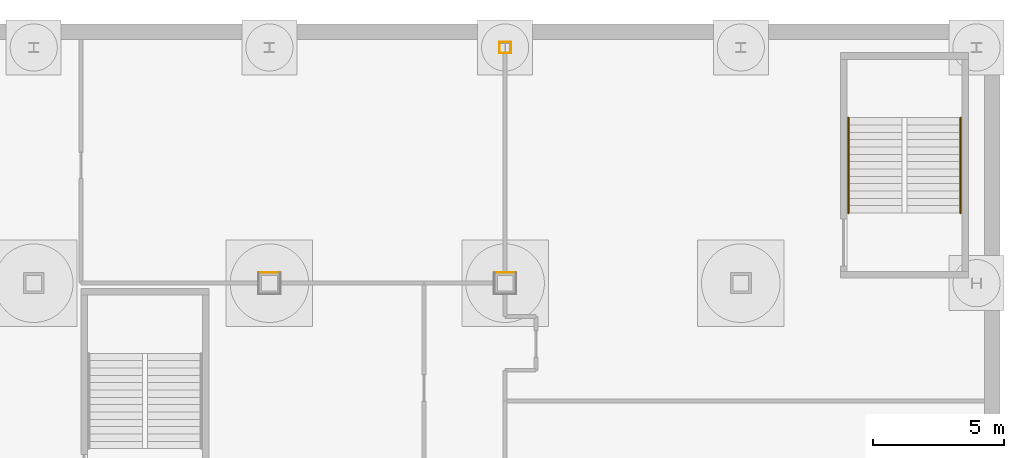
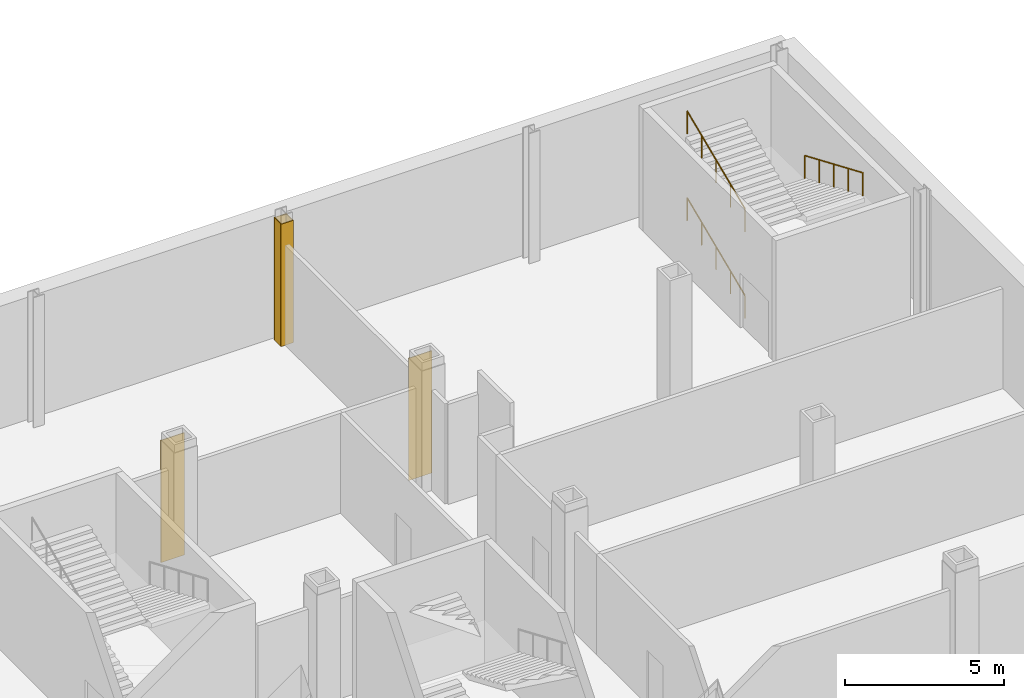
# One storey, part 25 of 28: 6 coverings, 3 railings.
"""IFC4 building model written with IfcOpenShell, lengths in metres."""

from ifc_helpers import new_model, si_unit, direction, frame, origin, origin_2d, place, context, subcontext, project, spatial, rectangle, circle, extrude, material, layer, layer_set, type_object, element, save


model = new_model("IFC4")

# Units and contexts
model_context = context("Model", 3, precision=1e-05, world=origin(), true_north=direction((0.0, 1.0)))
body_context = subcontext(model_context, "Body", "Model", "MODEL_VIEW")
ifc_project = project(units=[si_unit("LENGTHUNIT", "METRE"), si_unit("AREAUNIT", "SQUARE_METRE"), si_unit("VOLUMEUNIT", "CUBIC_METRE"), si_unit("PLANEANGLEUNIT", "RADIAN"), si_unit("MASSUNIT", "GRAM", prefix="KILO")], contexts=[model_context])

# Site, building, storey
site_placement = place(None, origin())
site = spatial("IfcSite", under=ifc_project, at=site_placement, CompositionType="ELEMENT")
building_placement = place(site_placement, origin())
building = spatial("IfcBuilding", under=site, at=building_placement, Name="Loomwork Tower", CompositionType="ELEMENT")
storey_placement = place(building_placement, frame((0.0, 0.0, -10.5)))
storey = spatial("IfcBuildingStorey", under=building, at=storey_placement, Name="B2", CompositionType="ELEMENT", Elevation=-10.5)

# Coverings
ifc_material_1 = material(Name="Two-hour fire-rated gypsum board casing")
ifc_layer = layer(ifc_material_1, 0.02490234375)
ifc_layer_set = layer_set([ifc_layer], Name="Column fire casing 25")
covering_type = type_object("IfcCoveringType", Name="Column fire casing 25", PredefinedType="CLADDING", material=ifc_layer_set)
for number, where, z_axis, x_axis, name in (
    (1, (36.0, 36.41259765625, 0.0), (0.0, 0.0, 1.0), (1.0, 0.0, 0.0), "Column casing 36 36 B2"),
    (2, (45.0, 36.41259765625, 0.0), (0.0, 0.0, 1.0), (1.0, 0.0, 0.0), "Column casing 45 36 B2"),
):
    element("IfcCovering", number, at=place(storey_placement, frame(where, z_axis=z_axis, x_axis=x_axis)), inside=storey, type_object=covering_type, Name=name, PredefinedType="CLADDING", context=body_context, shape_type="SweptSolid", body=[
        extrude(rectangle(XDim=0.85009765625, YDim=0.02490234375, at=origin_2d()), origin(), (0.0, 0.0, 1.0), 4.699951171875),
    ])
for number, where, z_axis, x_axis, name in (
    (3, (45.0, 45.2119140625, 0.0), (0.0, 0.0, 1.0), (1.0, 0.0, 0.0), "Column casing 45 45 B2"),
    (4, (45.0, 44.7880859375, 0.0), (0.0, 0.0, 1.0), (1.0, 0.0, 0.0), "Column casing 45 45 B2"),
):
    element("IfcCovering", number, at=place(storey_placement, frame(where, z_axis=z_axis, x_axis=x_axis)), inside=storey, type_object=covering_type, Name=name, PredefinedType="CLADDING", context=body_context, shape_type="SweptSolid", body=[
        extrude(rectangle(XDim=0.451416015625, YDim=0.02490234375, at=origin_2d()), origin(), (0.0, 0.0, 1.0), 4.699951171875),
    ])
for number, where, z_axis, x_axis, name in (
    (5, (45.213134765625, 45.0, 0.0), (0.0, 0.0, 1.0), (1.0, 0.0, 0.0), "Column casing 45 45 B2"),
    (6, (44.786865234375, 45.0, 0.0), (0.0, 0.0, 1.0), (1.0, 0.0, 0.0), "Column casing 45 45 B2"),
):
    element("IfcCovering", number, at=place(storey_placement, frame(where, z_axis=z_axis, x_axis=x_axis)), inside=storey, type_object=covering_type, Name=name, PredefinedType="CLADDING", context=body_context, shape_type="SweptSolid", body=[
        extrude(rectangle(XDim=0.02490234375, YDim=0.398681640625, at=origin_2d()), origin(), (0.0, 0.0, 1.0), 4.699951171875),
    ])

# Railings
ifc_material_2 = material(Name="Stainless steel handrail", Category="steel")
railing_type = type_object("IfcRailingType", Name="Handrail 900", PredefinedType="HANDRAIL", material=ifc_material_2)
railing_1_placement = place(storey_placement, frame((58.110107421875, 38.679931640625, 0.118896484375)))
element("IfcRailing", 7, at=railing_1_placement, inside=storey, type_object=railing_type, Name="Podium stair PS4 handrail flight 1 B2", PredefinedType="HANDRAIL", context=body_context, shape_type="SweptSolid", body=[
    extrude(circle(Radius=0.02392578125, at=origin_2d()), frame((0.0, 0.0, 0.8759765625), z_axis=(0.0, 0.920258693564, 0.391310537706), x_axis=(-1.0, 0.0, 0.0)), (0.0, 0.0, 1.0), 3.95556640625),
    extrude(circle(Radius=0.02099609375, at=origin_2d()), origin(), (0.0, 0.0, 1.0), 0.851806640625),
    extrude(circle(Radius=0.02099609375, at=origin_2d()), frame((0.0, 0.91015625, 0.386962890625)), (0.0, 0.0, 1.0), 0.851806640625),
    extrude(circle(Radius=0.02099609375, at=origin_2d()), frame((0.0, 1.820068359375, 0.77392578125)), (0.0, 0.0, 1.0), 0.851806640625),
    extrude(circle(Radius=0.02099609375, at=origin_2d()), frame((0.0, 2.72998046875, 1.160888671875)), (0.0, 0.0, 1.0), 0.851806640625),
    extrude(circle(Radius=0.02099609375, at=origin_2d()), frame((0.0, 3.64013671875, 1.5478515625)), (0.0, 0.0, 1.0), 0.851806640625),
])
railing_2_placement = place(storey_placement, frame((62.389892578125, 42.320068359375, 1.78564453125)))
element("IfcRailing", 8, at=railing_2_placement, inside=storey, type_object=railing_type, Name="Podium stair PS4 handrail flight 2 B2", PredefinedType="HANDRAIL", context=body_context, shape_type="SweptSolid", body=[
    extrude(circle(Radius=0.02392578125, at=origin_2d()), frame((0.0, 0.0, 0.8759765625), z_axis=(0.0, -0.920258693564, 0.391310537706), x_axis=(1.0, 0.0, 0.0)), (0.0, 0.0, 1.0), 3.95556640625),
    extrude(circle(Radius=0.02099609375, at=origin_2d()), origin(), (0.0, 0.0, 1.0), 0.851806640625),
    extrude(circle(Radius=0.02099609375, at=origin_2d()), frame((0.0, -0.91015625, 0.386962890625)), (0.0, 0.0, 1.0), 0.851806640625),
    extrude(circle(Radius=0.02099609375, at=origin_2d()), frame((0.0, -1.820068359375, 0.77392578125)), (0.0, 0.0, 1.0), 0.851806640625),
    extrude(circle(Radius=0.02099609375, at=origin_2d()), frame((0.0, -2.72998046875, 1.160888671875)), (0.0, 0.0, 1.0), 0.851806640625),
    extrude(circle(Radius=0.02099609375, at=origin_2d()), frame((0.0, -3.64013671875, 1.5478515625)), (0.0, 0.0, 1.0), 0.851806640625),
])
railing_3_placement = place(storey_placement, frame((58.110107421875, 38.679931640625, 3.452392578125)))
element("IfcRailing", 9, at=railing_3_placement, inside=storey, type_object=railing_type, Name="Podium stair PS4 handrail flight 3 B2", PredefinedType="HANDRAIL", context=body_context, shape_type="SweptSolid", body=[
    extrude(circle(Radius=0.02392578125, at=origin_2d()), frame((0.0, 0.0, 0.8759765625), z_axis=(0.0, 0.920280918742, 0.391258265855), x_axis=(-1.0, 0.0, 0.0)), (0.0, 0.0, 1.0), 3.95556640625),
    extrude(circle(Radius=0.02099609375, at=origin_2d()), origin(), (0.0, 0.0, 1.0), 0.851806640625),
    extrude(circle(Radius=0.02099609375, at=origin_2d()), frame((0.0, 0.91015625, 0.386962890625)), (0.0, 0.0, 1.0), 0.851806640625),
    extrude(circle(Radius=0.02099609375, at=origin_2d()), frame((0.0, 1.820068359375, 0.77392578125)), (0.0, 0.0, 1.0), 0.851806640625),
    extrude(circle(Radius=0.02099609375, at=origin_2d()), frame((0.0, 2.72998046875, 1.16064453125)), (0.0, 0.0, 1.0), 0.851806640625),
    extrude(circle(Radius=0.02099609375, at=origin_2d()), frame((0.0, 3.64013671875, 1.547607421875)), (0.0, 0.0, 1.0), 0.851806640625),
])

save(model, "model.ifc")
